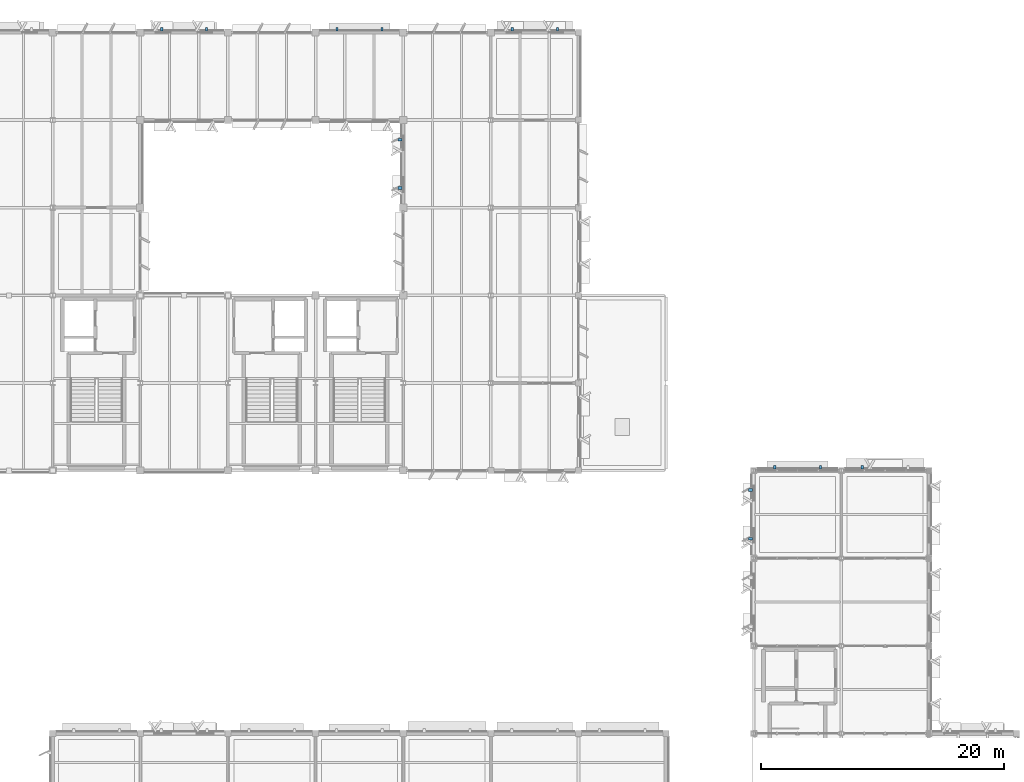
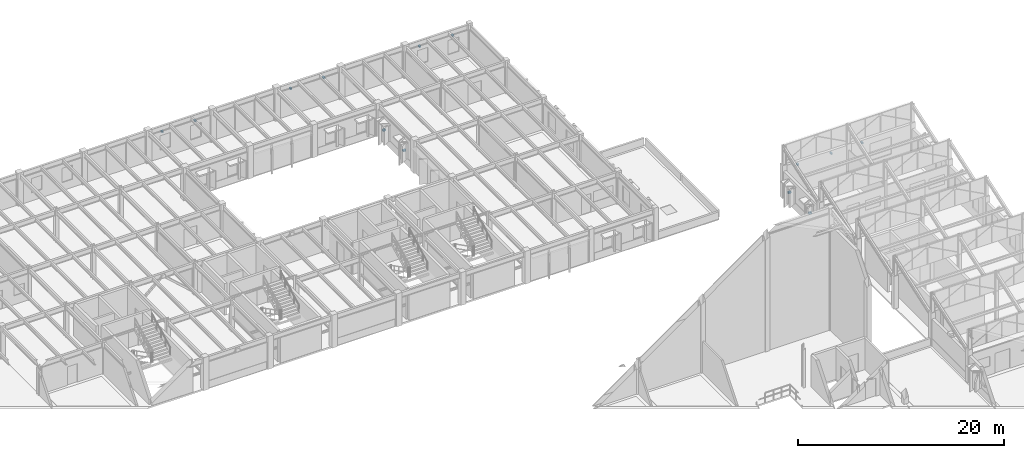
# One storey, part 46 of 82: 13 discrete accessories.
"""IFC4 building model written with IfcOpenShell, lengths in metres."""

from ifc_helpers import new_model, si_unit, direction, frame, origin, origin_2d, place, context, subcontext, project, spatial, rectangle, extrude, material, type_object, element, save


model = new_model("IFC4")

# Units and contexts
model_context = context("Model", 3, precision=1e-05, world=origin(), true_north=direction((0.0, 1.0)))
body_context = subcontext(model_context, "Body", "Model", "MODEL_VIEW")
ifc_project = project(units=[si_unit("LENGTHUNIT", "METRE"), si_unit("AREAUNIT", "SQUARE_METRE"), si_unit("VOLUMEUNIT", "CUBIC_METRE"), si_unit("PLANEANGLEUNIT", "RADIAN"), si_unit("MASSUNIT", "GRAM", prefix="KILO")], contexts=[model_context])

# Site, building, storey
site_placement = place(None, origin())
site = spatial("IfcSite", under=ifc_project, at=site_placement, CompositionType="ELEMENT")
building_placement = place(site_placement, origin())
building = spatial("IfcBuilding", under=site, at=building_placement, Name="Sillqori Civic Hall", CompositionType="ELEMENT")
storey_placement = place(building_placement, frame((0.0, 0.0, 14.10009765625)))
storey = spatial("IfcBuildingStorey", under=building, at=storey_placement, Name="L04", CompositionType="ELEMENT", Elevation=14.10009765625)

# Discrete accessories
ifc_material = material(Name="Steel ASTM A572 Grade 50", Category="steel")
discrete_accessory_type_1 = type_object("IfcDiscreteAccessoryType", Name="BRK-FAC-240", PredefinedType="BRACKET", material=ifc_material)
for number, where, z_axis, x_axis, name in (
    (1, (73.751953125, 115.449951171875, 2.69970703125), (0.0, 0.0, 1.0), (1.0, 0.0, 0.0), "Sun-hood steel bracket L04-10-15-N.1"),
    (2, (77.447998046875, 115.449951171875, 2.69970703125), (0.0, 0.0, 1.0), (1.0, 0.0, 0.0), "Sun-hood steel bracket L04-10-15-N.2"),
    (3, (88.152099609375, 115.449951171875, 2.75), (0.0, 0.0, 1.0), (1.0, 0.0, 0.0), "Sun-hood steel bracket L04-12-15-N.1"),
    (4, (91.847900390625, 115.449951171875, 2.75), (0.0, 0.0, 1.0), (1.0, 0.0, 0.0), "Sun-hood steel bracket L04-12-15-N.2"),
    (5, (102.56298828125, 115.449951171875, 2.69970703125), (0.0, 0.0, 1.0), (1.0, 0.0, 0.0), "Sun-hood steel bracket L04-14-15-N.1"),
    (6, (106.287109375, 115.449951171875, 2.69970703125), (0.0, 0.0, 1.0), (1.0, 0.0, 0.0), "Sun-hood steel bracket L04-14-15-N.2"),
    (7, (124.1240234375, 79.4599609375, 3.0), (0.0, 0.0, 1.0), (1.0, 0.0, 0.0), "Sun-hood steel bracket L04-17-10-N.1"),
    (8, (127.8759765625, 79.4599609375, 3.0), (0.0, 0.0, 1.0), (1.0, 0.0, 0.0), "Sun-hood steel bracket L04-17-10-N.2"),
    (9, (131.323974609375, 79.4599609375, 3.0498046875), (0.0, 0.0, 1.0), (1.0, 0.0, 0.0), "Sun-hood steel bracket L04-18-10-N.1"),
):
    element("IfcDiscreteAccessory", number, at=place(storey_placement, frame(where, z_axis=z_axis, x_axis=x_axis)), inside=storey, type_object=discrete_accessory_type_1, Name=name, PredefinedType="BRACKET", context=body_context, shape_type="SweptSolid", body=[
        extrude(rectangle(XDim=0.179931640625, YDim=0.280029296875, at=origin_2d()), origin(), (0.0, 0.0, 1.0), 0.179931640625),
    ])
discrete_accessory_type_2 = type_object("IfcDiscreteAccessoryType", Name="BRK-FIN-280", PredefinedType="BRACKET", material=ifc_material)
for number, where, z_axis, x_axis, name in (
    (10, (93.340087890625, 102.419921875, 1.49609375), (0.0, 0.0, 1.0), (0.0, 1.0, 0.0), "Brise-soleil fin steel bracket L04-13-14-W.1"),
    (11, (93.340087890625, 106.3798828125, 1.49609375), (0.0, 0.0, 1.0), (0.0, 1.0, 0.0), "Brise-soleil fin steel bracket L04-13-14-W.2"),
    (12, (122.1298828125, 73.590087890625, 1.5), (0.0, 0.0, 1.0), (0.0, 1.0, 0.0), "Brise-soleil fin steel bracket L04-17-10-W.1"),
    (13, (122.1298828125, 77.610107421875, 1.5), (0.0, 0.0, 1.0), (0.0, 1.0, 0.0), "Brise-soleil fin steel bracket L04-17-10-W.2"),
):
    element("IfcDiscreteAccessory", number, at=place(storey_placement, frame(where, z_axis=z_axis, x_axis=x_axis)), inside=storey, type_object=discrete_accessory_type_2, Name=name, PredefinedType="BRACKET", context=body_context, shape_type="SweptSolid", body=[
        extrude(rectangle(XDim=0.219970703125, YDim=0.320068359375, at=origin_2d()), origin(), (0.0, 0.0, 1.0), 0.199951171875),
    ])

save(model, "model.ifc")
